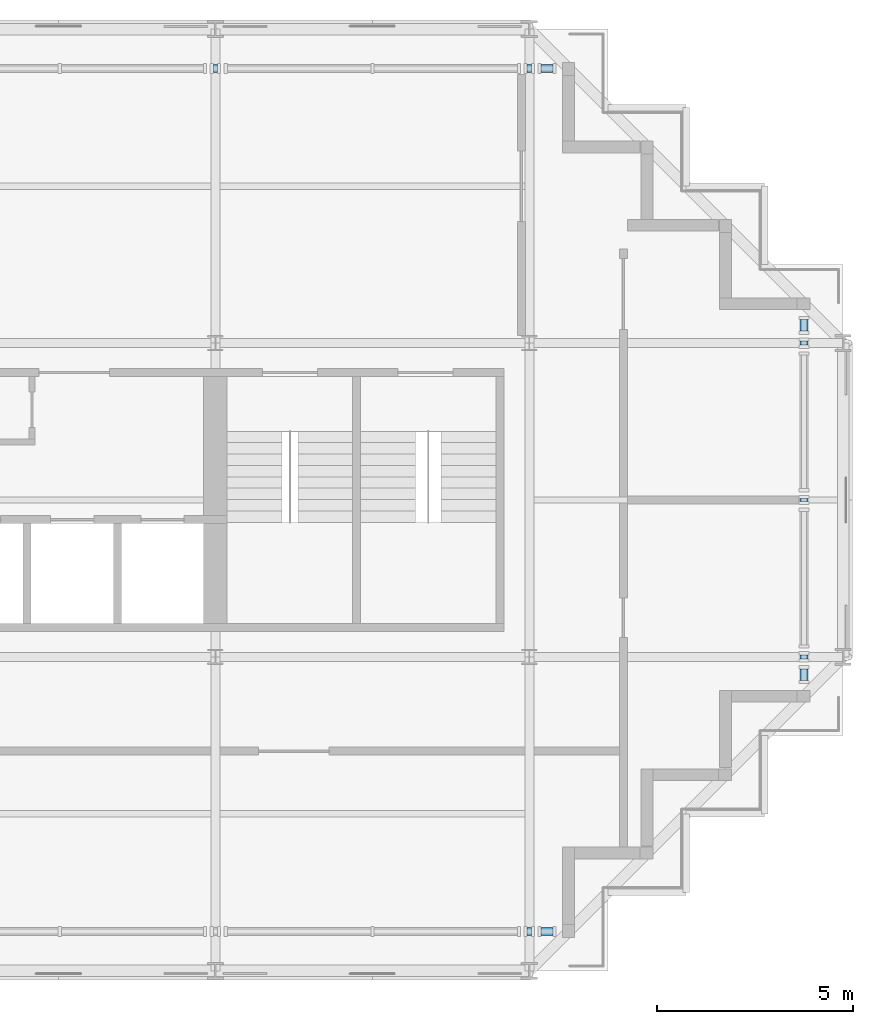
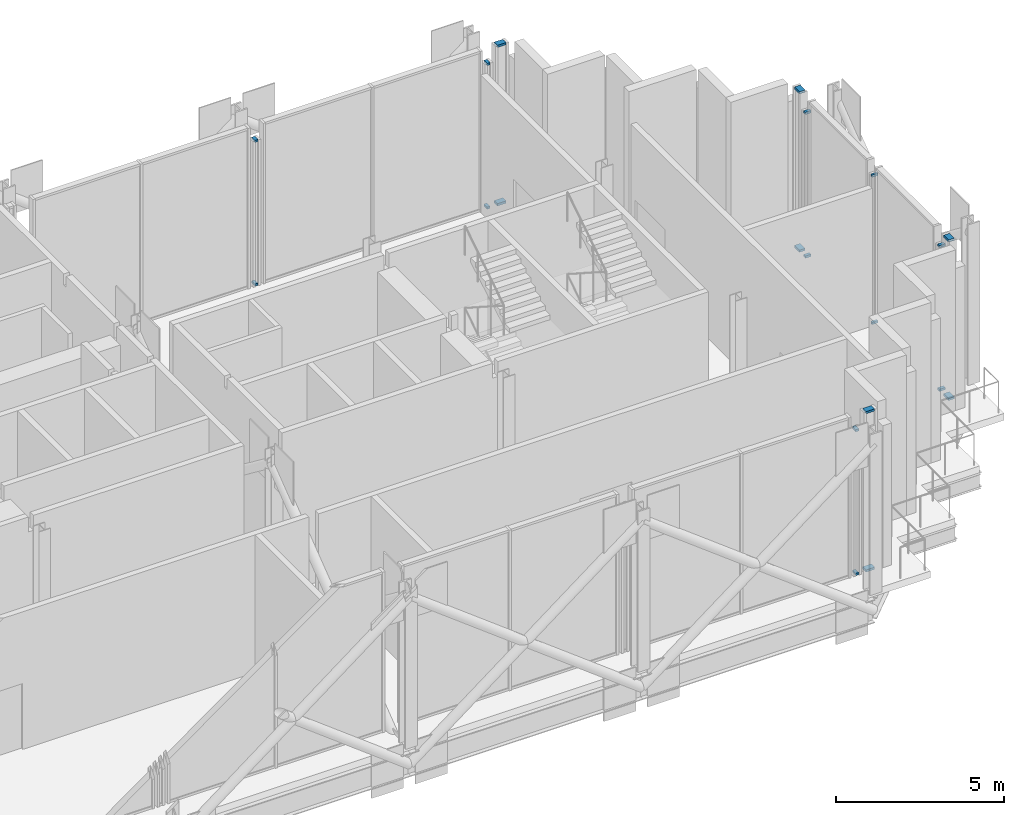
# One storey, part 6 of 16: 20 members, 10 elements without a shape of their own.
"""IFC4 building model written with IfcOpenShell, lengths in metres."""

from ifc_helpers import new_model, si_unit, direction, frame, origin, origin_2d, place, context, subcontext, project, spatial, rectangle, extrude, material, material_profile, profile_set, type_object, element, aggregate, save


model = new_model("IFC4")

# Units and contexts
model_context = context("Model", 3, precision=1e-05, world=origin(), true_north=direction((0.0, 1.0)))
body_context = subcontext(model_context, "Body", "Model", "MODEL_VIEW")
ifc_project = project(units=[si_unit("LENGTHUNIT", "METRE"), si_unit("AREAUNIT", "SQUARE_METRE"), si_unit("VOLUMEUNIT", "CUBIC_METRE"), si_unit("PLANEANGLEUNIT", "RADIAN"), si_unit("MASSUNIT", "GRAM", prefix="KILO")], contexts=[model_context])

# Site, building, storey
site_placement = place(None, origin())
site = spatial("IfcSite", under=ifc_project, at=site_placement, CompositionType="ELEMENT")
building_placement = place(site_placement, origin())
building = spatial("IfcBuilding", under=site, at=building_placement, Name="Immortelle Media Tower", CompositionType="ELEMENT")
storey_placement = place(building_placement, frame((0.0, 0.0, 241.0)))
storey = spatial("IfcBuildingStorey", under=building, at=storey_placement, Name="L52", CompositionType="ELEMENT", Elevation=241.0)

# Curtain wall, members
ifc_material_1 = material(Name="Aluminium curtain wall system", Category="aluminium")
curtain_wall_type = type_object("IfcCurtainWallType", Name="Plant louvre wall curtain wall", PredefinedType="NOTDEFINED", material=ifc_material_1)
curtain_wall_1_placement = place(storey_placement, origin())
curtain_wall_1 = element("IfcCurtainWall", 1, at=curtain_wall_1_placement, inside=storey, type_object=curtain_wall_type, Name="Plant louvre wall L52 S 7-10", PredefinedType="NOTDEFINED")
ifc_material_2 = material(Name="Aluminium 6063-T6", Category="aluminium")
ifc_material_profile = material_profile(ifc_material_2, rectangle(XDim=0.199951171875, YDim=0.080078125, at=origin_2d()), Name="AL 80x200")
ifc_profile_set = profile_set([ifc_material_profile], Name="Aluminium 6063-T6")
member_type = type_object("IfcMemberType", Name="Plant louvre wall transom 80 x 200", PredefinedType="USERDEFINED", material=ifc_profile_set)
member_1_placement = place(storey_placement, frame((39.946533203125, 1.0, 0.0400390625), z_axis=(1.0, 0.0, 0.0), x_axis=(0.0, 1.0, 0.0)))
member_1 = element("IfcMember", 2, at=member_1_placement, type_object=member_type, Name="CW6 transom 1.1", ObjectType="TRANSOM", PredefinedType="USERDEFINED", context=body_context, shape_type="SweptSolid", body=[
    extrude(rectangle(XDim=0.199951171875, YDim=0.080078125, at=origin_2d()), origin(), (0.0, 0.0, 1.0), 0.10693359375),
])
member_2_placement = place(storey_placement, frame((39.946533203125, 1.0, 5.2734375), z_axis=(1.0, 0.0, 0.0), x_axis=(0.0, 1.0, 0.0)))
member_2 = element("IfcMember", 3, at=member_2_placement, type_object=member_type, Name="CW6 transom 1.2", ObjectType="TRANSOM", PredefinedType="USERDEFINED", context=body_context, shape_type="SweptSolid", body=[
    extrude(rectangle(XDim=0.199951171875, YDim=0.080078125, at=origin_2d()), origin(), (0.0, 0.0, 1.0), 0.10693359375),
])
aggregate(curtain_wall_1, [member_1, member_2])

curtain_wall_2_placement = place(storey_placement, origin())
curtain_wall_2 = element("IfcCurtainWall", 4, at=curtain_wall_2_placement, inside=storey, type_object=curtain_wall_type, Name="Plant louvre wall L52 S 7-11", PredefinedType="NOTDEFINED")
member_3_placement = place(storey_placement, frame((40.303466796875, 1.0, 0.0400390625), z_axis=(1.0, 0.0, 0.0), x_axis=(0.0, 1.0, 0.0)))
member_3 = element("IfcMember", 5, at=member_3_placement, type_object=member_type, Name="CW6 transom 1.1", ObjectType="TRANSOM", PredefinedType="USERDEFINED", context=body_context, shape_type="SweptSolid", body=[
    extrude(rectangle(XDim=0.199951171875, YDim=0.080078125, at=origin_2d()), origin(), (0.0, 0.0, 1.0), 0.297607421875),
])
member_4_placement = place(storey_placement, frame((40.303466796875, 1.0, 5.8095703125), z_axis=(1.0, 0.0, 0.0), x_axis=(0.0, 1.0, 0.0)))
member_4 = element("IfcMember", 6, at=member_4_placement, type_object=member_type, Name="CW6 transom 1.2", ObjectType="TRANSOM", PredefinedType="USERDEFINED", context=body_context, shape_type="SweptSolid", body=[
    extrude(rectangle(XDim=0.199951171875, YDim=0.080078125, at=origin_2d()), origin(), (0.0, 0.0, 1.0), 0.297607421875),
])
aggregate(curtain_wall_2, [member_3, member_4])

curtain_wall_3_placement = place(storey_placement, origin())
curtain_wall_3 = element("IfcCurtainWall", 7, at=curtain_wall_3_placement, inside=storey, type_object=curtain_wall_type, Name="Plant louvre wall L52 E 14-2", PredefinedType="NOTDEFINED")
member_5_placement = place(storey_placement, frame((47.0, 7.39892578125, 0.0400390625), z_axis=(0.0, 1.0, 0.0), x_axis=(-1.0, 0.0, 0.0)))
member_5 = element("IfcMember", 8, at=member_5_placement, type_object=member_type, Name="CW6 transom 1.1", ObjectType="TRANSOM", PredefinedType="USERDEFINED", context=body_context, shape_type="SweptSolid", body=[
    extrude(rectangle(XDim=0.199951171875, YDim=0.080078125, at=origin_2d()), origin(), (0.0, 0.0, 1.0), 0.297607421875),
])
member_6_placement = place(storey_placement, frame((47.0, 7.39892578125, 5.8095703125), z_axis=(0.0, 1.0, 0.0), x_axis=(-1.0, 0.0, 0.0)))
member_6 = element("IfcMember", 9, at=member_6_placement, type_object=member_type, Name="CW6 transom 1.2", ObjectType="TRANSOM", PredefinedType="USERDEFINED", context=body_context, shape_type="SweptSolid", body=[
    extrude(rectangle(XDim=0.199951171875, YDim=0.080078125, at=origin_2d()), origin(), (0.0, 0.0, 1.0), 0.297607421875),
])
aggregate(curtain_wall_3, [member_5, member_6])

curtain_wall_4_placement = place(storey_placement, origin())
curtain_wall_4 = element("IfcCurtainWall", 10, at=curtain_wall_4_placement, inside=storey, type_object=curtain_wall_type, Name="Plant louvre wall L52 E 14-3", PredefinedType="NOTDEFINED")
member_7_placement = place(storey_placement, frame((47.0, 7.946533203125, 0.0400390625), z_axis=(0.0, 1.0, 0.0), x_axis=(-1.0, 0.0, 0.0)))
member_7 = element("IfcMember", 11, at=member_7_placement, type_object=member_type, Name="CW6 transom 1.1", ObjectType="TRANSOM", PredefinedType="USERDEFINED", context=body_context, shape_type="SweptSolid", body=[
    extrude(rectangle(XDim=0.199951171875, YDim=0.080078125, at=origin_2d()), origin(), (0.0, 0.0, 1.0), 0.10693359375),
])
member_8_placement = place(storey_placement, frame((47.0, 7.946533203125, 5.2734375), z_axis=(0.0, 1.0, 0.0), x_axis=(-1.0, 0.0, 0.0)))
member_8 = element("IfcMember", 12, at=member_8_placement, type_object=member_type, Name="CW6 transom 1.2", ObjectType="TRANSOM", PredefinedType="USERDEFINED", context=body_context, shape_type="SweptSolid", body=[
    extrude(rectangle(XDim=0.199951171875, YDim=0.080078125, at=origin_2d()), origin(), (0.0, 0.0, 1.0), 0.10693359375),
])
aggregate(curtain_wall_4, [member_7, member_8])

curtain_wall_5_placement = place(storey_placement, origin())
curtain_wall_5 = element("IfcCurtainWall", 13, at=curtain_wall_5_placement, inside=storey, type_object=curtain_wall_type, Name="Plant louvre wall L52 E 14-5", PredefinedType="NOTDEFINED")
member_9_placement = place(storey_placement, frame((47.0, 11.9599609375, 0.0400390625), z_axis=(0.0, 1.0, 0.0), x_axis=(-1.0, 0.0, 0.0)))
member_9 = element("IfcMember", 14, at=member_9_placement, type_object=member_type, Name="CW6 transom 1.1", ObjectType="TRANSOM", PredefinedType="USERDEFINED", context=body_context, shape_type="SweptSolid", body=[
    extrude(rectangle(XDim=0.199951171875, YDim=0.080078125, at=origin_2d()), origin(), (0.0, 0.0, 1.0), 0.080078125),
])
member_10_placement = place(storey_placement, frame((47.0, 11.9599609375, 5.405517578125), z_axis=(0.0, 1.0, 0.0), x_axis=(-1.0, 0.0, 0.0)))
member_10 = element("IfcMember", 15, at=member_10_placement, type_object=member_type, Name="CW6 transom 1.2", ObjectType="TRANSOM", PredefinedType="USERDEFINED", context=body_context, shape_type="SweptSolid", body=[
    extrude(rectangle(XDim=0.199951171875, YDim=0.080078125, at=origin_2d()), origin(), (0.0, 0.0, 1.0), 0.080078125),
])
aggregate(curtain_wall_5, [member_9, member_10])

curtain_wall_6_placement = place(storey_placement, origin())
curtain_wall_6 = element("IfcCurtainWall", 16, at=curtain_wall_6_placement, inside=storey, type_object=curtain_wall_type, Name="Plant louvre wall L52 E 14-7", PredefinedType="NOTDEFINED")
member_11_placement = place(storey_placement, frame((47.0, 15.946533203125, 0.0400390625), z_axis=(0.0, 1.0, 0.0), x_axis=(-1.0, 0.0, 0.0)))
member_11 = element("IfcMember", 17, at=member_11_placement, type_object=member_type, Name="CW6 transom 1.1", ObjectType="TRANSOM", PredefinedType="USERDEFINED", context=body_context, shape_type="SweptSolid", body=[
    extrude(rectangle(XDim=0.199951171875, YDim=0.080078125, at=origin_2d()), origin(), (0.0, 0.0, 1.0), 0.10693359375),
])
member_12_placement = place(storey_placement, frame((47.0, 15.946533203125, 5.2734375), z_axis=(0.0, 1.0, 0.0), x_axis=(-1.0, 0.0, 0.0)))
member_12 = element("IfcMember", 18, at=member_12_placement, type_object=member_type, Name="CW6 transom 1.2", ObjectType="TRANSOM", PredefinedType="USERDEFINED", context=body_context, shape_type="SweptSolid", body=[
    extrude(rectangle(XDim=0.199951171875, YDim=0.080078125, at=origin_2d()), origin(), (0.0, 0.0, 1.0), 0.10693359375),
])
aggregate(curtain_wall_6, [member_11, member_12])

curtain_wall_7_placement = place(storey_placement, origin())
curtain_wall_7 = element("IfcCurtainWall", 19, at=curtain_wall_7_placement, inside=storey, type_object=curtain_wall_type, Name="Plant louvre wall L52 E 14-8", PredefinedType="NOTDEFINED")
member_13_placement = place(storey_placement, frame((47.0, 16.303466796875, 0.0400390625), z_axis=(0.0, 1.0, 0.0), x_axis=(-1.0, 0.0, 0.0)))
member_13 = element("IfcMember", 20, at=member_13_placement, type_object=member_type, Name="CW6 transom 1.1", ObjectType="TRANSOM", PredefinedType="USERDEFINED", context=body_context, shape_type="SweptSolid", body=[
    extrude(rectangle(XDim=0.199951171875, YDim=0.080078125, at=origin_2d()), origin(), (0.0, 0.0, 1.0), 0.297607421875),
])
member_14_placement = place(storey_placement, frame((47.0, 16.303466796875, 5.8095703125), z_axis=(0.0, 1.0, 0.0), x_axis=(-1.0, 0.0, 0.0)))
member_14 = element("IfcMember", 21, at=member_14_placement, type_object=member_type, Name="CW6 transom 1.2", ObjectType="TRANSOM", PredefinedType="USERDEFINED", context=body_context, shape_type="SweptSolid", body=[
    extrude(rectangle(XDim=0.199951171875, YDim=0.080078125, at=origin_2d()), origin(), (0.0, 0.0, 1.0), 0.297607421875),
])
aggregate(curtain_wall_7, [member_13, member_14])

curtain_wall_8_placement = place(storey_placement, origin())
curtain_wall_8 = element("IfcCurtainWall", 22, at=curtain_wall_8_placement, inside=storey, type_object=curtain_wall_type, Name="Plant louvre wall L52 N 21-2", PredefinedType="NOTDEFINED")
member_15_placement = place(storey_placement, frame((40.60107421875, 23.0, 0.0400390625), z_axis=(-1.0, 0.0, 0.0), x_axis=(0.0, -1.0, 0.0)))
member_15 = element("IfcMember", 23, at=member_15_placement, type_object=member_type, Name="CW6 transom 1.1", ObjectType="TRANSOM", PredefinedType="USERDEFINED", context=body_context, shape_type="SweptSolid", body=[
    extrude(rectangle(XDim=0.199951171875, YDim=0.080078125, at=origin_2d()), origin(), (0.0, 0.0, 1.0), 0.297607421875),
])
member_16_placement = place(storey_placement, frame((40.60107421875, 23.0, 5.8095703125), z_axis=(-1.0, 0.0, 0.0), x_axis=(0.0, -1.0, 0.0)))
member_16 = element("IfcMember", 24, at=member_16_placement, type_object=member_type, Name="CW6 transom 1.2", ObjectType="TRANSOM", PredefinedType="USERDEFINED", context=body_context, shape_type="SweptSolid", body=[
    extrude(rectangle(XDim=0.199951171875, YDim=0.080078125, at=origin_2d()), origin(), (0.0, 0.0, 1.0), 0.297607421875),
])
aggregate(curtain_wall_8, [member_15, member_16])

curtain_wall_9_placement = place(storey_placement, origin())
curtain_wall_9 = element("IfcCurtainWall", 25, at=curtain_wall_9_placement, inside=storey, type_object=curtain_wall_type, Name="Plant louvre wall L52 N 21-3", PredefinedType="NOTDEFINED")
member_17_placement = place(storey_placement, frame((40.053466796875, 23.0, 0.0400390625), z_axis=(-1.0, 0.0, 0.0), x_axis=(0.0, -1.0, 0.0)))
member_17 = element("IfcMember", 26, at=member_17_placement, type_object=member_type, Name="CW6 transom 1.1", ObjectType="TRANSOM", PredefinedType="USERDEFINED", context=body_context, shape_type="SweptSolid", body=[
    extrude(rectangle(XDim=0.199951171875, YDim=0.080078125, at=origin_2d()), origin(), (0.0, 0.0, 1.0), 0.10693359375),
])
member_18_placement = place(storey_placement, frame((40.053466796875, 23.0, 5.2734375), z_axis=(-1.0, 0.0, 0.0), x_axis=(0.0, -1.0, 0.0)))
member_18 = element("IfcMember", 27, at=member_18_placement, type_object=member_type, Name="CW6 transom 1.2", ObjectType="TRANSOM", PredefinedType="USERDEFINED", context=body_context, shape_type="SweptSolid", body=[
    extrude(rectangle(XDim=0.199951171875, YDim=0.080078125, at=origin_2d()), origin(), (0.0, 0.0, 1.0), 0.10693359375),
])
aggregate(curtain_wall_9, [member_17, member_18])

curtain_wall_10_placement = place(storey_placement, origin())
curtain_wall_10 = element("IfcCurtainWall", 28, at=curtain_wall_10_placement, inside=storey, type_object=curtain_wall_type, Name="Plant louvre wall L52 N 21-5", PredefinedType="NOTDEFINED")
member_19_placement = place(storey_placement, frame((32.053466796875, 23.0, 0.0400390625), z_axis=(-1.0, 0.0, 0.0), x_axis=(0.0, -1.0, 0.0)))
member_19 = element("IfcMember", 29, at=member_19_placement, type_object=member_type, Name="CW6 transom 1.1", ObjectType="TRANSOM", PredefinedType="USERDEFINED", context=body_context, shape_type="SweptSolid", body=[
    extrude(rectangle(XDim=0.199951171875, YDim=0.080078125, at=origin_2d()), origin(), (0.0, 0.0, 1.0), 0.10693359375),
])
member_20_placement = place(storey_placement, frame((32.053466796875, 23.0, 5.2734375), z_axis=(-1.0, 0.0, 0.0), x_axis=(0.0, -1.0, 0.0)))
member_20 = element("IfcMember", 30, at=member_20_placement, type_object=member_type, Name="CW6 transom 1.2", ObjectType="TRANSOM", PredefinedType="USERDEFINED", context=body_context, shape_type="SweptSolid", body=[
    extrude(rectangle(XDim=0.199951171875, YDim=0.080078125, at=origin_2d()), origin(), (0.0, 0.0, 1.0), 0.10693359375),
])
aggregate(curtain_wall_10, [member_19, member_20])

save(model, "model.ifc")
